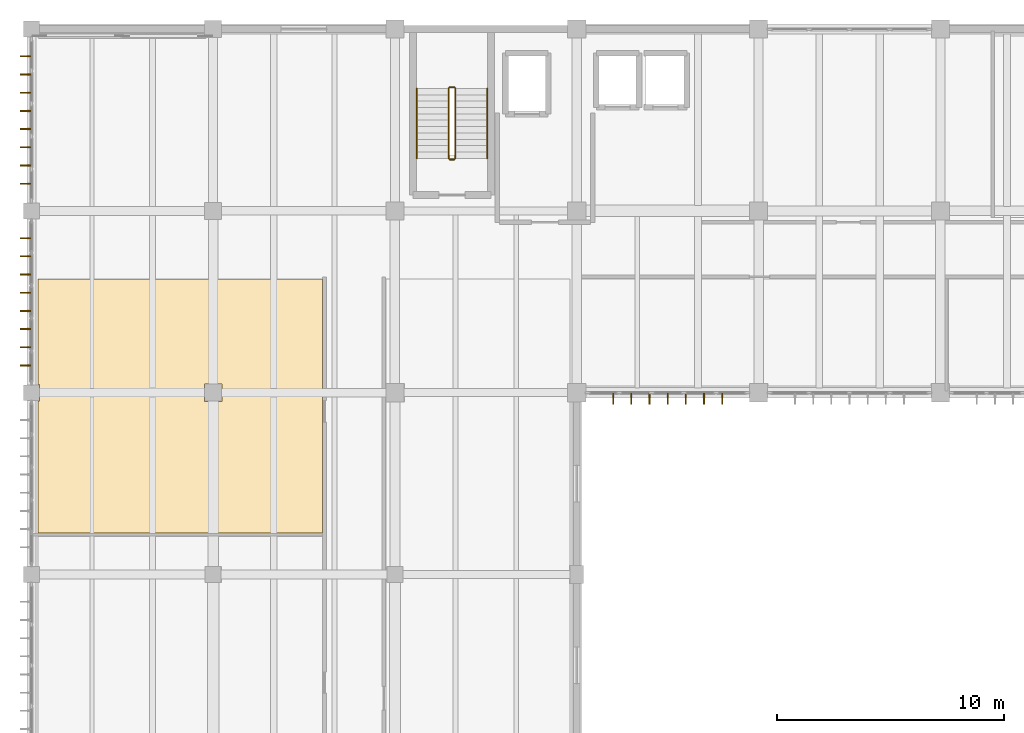
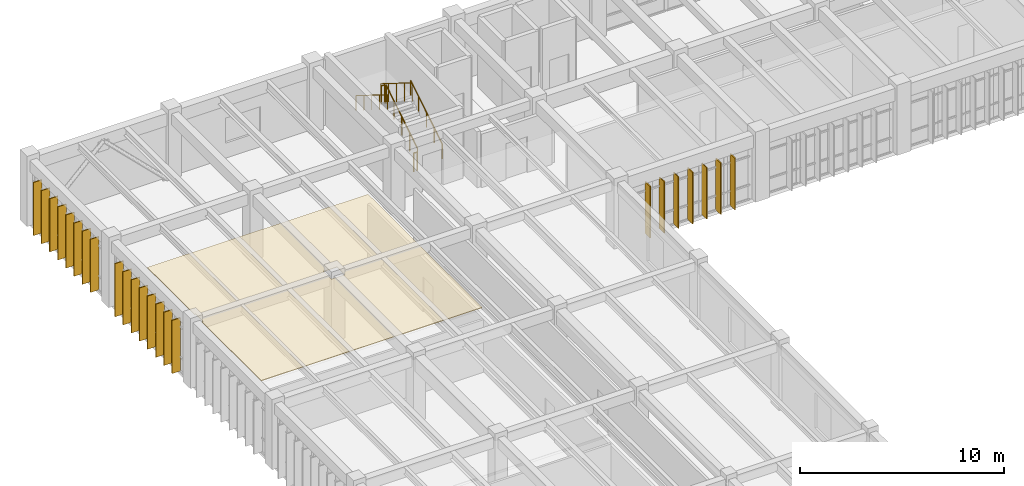
# One storey, part 61 of 67: 23 shading devices, 6 railings, 1 covering.
"""IFC4 building model written with IfcOpenShell, lengths in metres."""

from ifc_helpers import new_model, si_unit, direction, frame, origin, origin_2d, place, context, subcontext, project, spatial, polyline, rectangle, circle, outline, extrude, material, layer, layer_set, type_object, element, save


model = new_model("IFC4")

# Units and contexts
model_context = context("Model", 3, precision=1e-05, world=origin(), true_north=direction((0.0, 1.0)))
body_context = subcontext(model_context, "Body", "Model", "MODEL_VIEW")
ifc_project = project(units=[si_unit("LENGTHUNIT", "METRE"), si_unit("AREAUNIT", "SQUARE_METRE"), si_unit("VOLUMEUNIT", "CUBIC_METRE"), si_unit("PLANEANGLEUNIT", "RADIAN"), si_unit("MASSUNIT", "GRAM", prefix="KILO")], contexts=[model_context])

# Site, building, storey
site_placement = place(None, origin())
site = spatial("IfcSite", under=ifc_project, at=site_placement, CompositionType="ELEMENT")
building_placement = place(site_placement, origin())
building = spatial("IfcBuilding", under=site, at=building_placement, Name="Tlaxcora Railside Police Headquarters", CompositionType="ELEMENT")
storey_placement = place(building_placement, frame((0.0, 0.0, 4.800048828125)))
storey = spatial("IfcBuildingStorey", under=building, at=storey_placement, Name="L01", CompositionType="ELEMENT", Elevation=4.800048828125)

# Covering
ifc_material_1 = material(Name="Mineral-fibre acoustic ceiling tile")
ifc_layer_1 = layer(ifc_material_1, 0.034912109375, Name="Mineral-fibre acoustic ceiling tile")
ifc_layer_set_1 = layer_set([ifc_layer_1], Name="Mineral-fibre acoustic ceiling tile")
covering_type = type_object("IfcCoveringType", Name="Acoustic Suspended Ceiling CLG-01", PredefinedType="CEILING", material=ifc_layer_set_1)
covering_placement = place(storey_placement, frame((0.0, 0.0, 3.764892578125)))
element("IfcCovering", 1, at=covering_placement, inside=storey, type_object=covering_type, Name="Duty Supervisor Office L01 suspended ceiling", PredefinedType="CEILING", context=body_context, shape_type="SweptSolid", body=[
    extrude(outline(polyline([(5.5, 76.43994140625), (5.5, 70.6298828125), (18.0, 70.6298828125), (18.0, 81.800048828125), (5.5, 81.800048828125), (5.5, 77.159912109375), (5.56005859375, 77.159912109375), (5.56005859375, 76.43994140625), (5.5, 76.43994140625)]), holes=[polyline([(13.5849609375, 76.4150390625), (12.81494140625, 76.4150390625), (12.81494140625, 77.18505859375), (13.5849609375, 77.18505859375), (13.5849609375, 76.4150390625)])]), origin(), (0.0, 0.0, 1.0), 0.03515625),
])

# Shading devices
ifc_material_2 = material(Name="Anodised aluminium framing", Category="aluminium")
ifc_layer_2 = layer(ifc_material_2, 0.054931640625, Name="Anodised aluminium framing")
ifc_layer_set_2 = layer_set([ifc_layer_2], Name="Anodised aluminium framing")
shading_device_type = type_object("IfcShadingDeviceType", Name="Solar Control Fin SF-01", PredefinedType="JALOUSIE", material=ifc_layer_set_2)
for number, where, z_axis, x_axis, name in (
    (2, (30.800048828125, 76.5400390625, 0.039794921875), (0.0, 0.0, 1.0), (0.0, -1.0, 0.0), "Vertical solar fin 25"),
    (3, (31.60009765625, 76.5400390625, 0.039794921875), (0.0, 0.0, 1.0), (0.0, -1.0, 0.0), "Vertical solar fin 26"),
    (4, (32.39990234375, 76.5400390625, 0.039794921875), (0.0, 0.0, 1.0), (0.0, -1.0, 0.0), "Vertical solar fin 27"),
    (5, (33.199951171875, 76.5400390625, 0.039794921875), (0.0, 0.0, 1.0), (0.0, -1.0, 0.0), "Vertical solar fin 28"),
    (6, (34.0, 76.5400390625, 0.039794921875), (0.0, 0.0, 1.0), (0.0, -1.0, 0.0), "Vertical solar fin 29"),
    (7, (34.800048828125, 76.5400390625, 0.039794921875), (0.0, 0.0, 1.0), (0.0, -1.0, 0.0), "Vertical solar fin 30"),
    (8, (35.60009765625, 76.5400390625, 0.039794921875), (0.0, 0.0, 1.0), (0.0, -1.0, 0.0), "Vertical solar fin 31"),
):
    element("IfcShadingDevice", number, at=place(storey_placement, frame(where, z_axis=z_axis, x_axis=x_axis)), inside=storey, type_object=shading_device_type, Name=name, PredefinedType="JALOUSIE", context=body_context, shape_type="SweptSolid", body=[
        extrude(rectangle(XDim=0.47998046875, YDim=0.054931640625, at=origin_2d()), origin(), (0.0, 0.0, 1.0), 3.080078125),
    ])
for number, where, z_axis, x_axis, name in (
    (9, (4.93994140625, 91.60009765625, 0.0400390625), (0.0, 0.0, 1.0), (-1.0, 0.0, 0.0), "Vertical solar fin 90"),
    (10, (4.93994140625, 90.800048828125, 0.0400390625), (0.0, 0.0, 1.0), (-1.0, 0.0, 0.0), "Vertical solar fin 91"),
    (11, (4.93994140625, 90.0, 0.0400390625), (0.0, 0.0, 1.0), (-1.0, 0.0, 0.0), "Vertical solar fin 92"),
    (12, (4.93994140625, 89.199951171875, 0.0400390625), (0.0, 0.0, 1.0), (-1.0, 0.0, 0.0), "Vertical solar fin 93"),
    (13, (4.93994140625, 88.39990234375, 0.0400390625), (0.0, 0.0, 1.0), (-1.0, 0.0, 0.0), "Vertical solar fin 94"),
    (14, (4.93994140625, 87.60009765625, 0.0400390625), (0.0, 0.0, 1.0), (-1.0, 0.0, 0.0), "Vertical solar fin 95"),
    (15, (4.93994140625, 86.800048828125, 0.0400390625), (0.0, 0.0, 1.0), (-1.0, 0.0, 0.0), "Vertical solar fin 96"),
    (16, (4.93994140625, 86.0, 0.0400390625), (0.0, 0.0, 1.0), (-1.0, 0.0, 0.0), "Vertical solar fin 97"),
    (17, (4.93994140625, 83.60009765625, 0.0400390625), (0.0, 0.0, 1.0), (-1.0, 0.0, 0.0), "Vertical solar fin 98"),
    (18, (4.93994140625, 82.800048828125, 0.0400390625), (0.0, 0.0, 1.0), (-1.0, 0.0, 0.0), "Vertical solar fin 99"),
    (19, (4.93994140625, 82.0, 0.0400390625), (0.0, 0.0, 1.0), (-1.0, 0.0, 0.0), "Vertical solar fin 100"),
    (20, (4.93994140625, 81.199951171875, 0.0400390625), (0.0, 0.0, 1.0), (-1.0, 0.0, 0.0), "Vertical solar fin 101"),
    (21, (4.93994140625, 80.39990234375, 0.0400390625), (0.0, 0.0, 1.0), (-1.0, 0.0, 0.0), "Vertical solar fin 102"),
    (22, (4.93994140625, 79.60009765625, 0.0400390625), (0.0, 0.0, 1.0), (-1.0, 0.0, 0.0), "Vertical solar fin 103"),
    (23, (4.93994140625, 78.800048828125, 0.0400390625), (0.0, 0.0, 1.0), (-1.0, 0.0, 0.0), "Vertical solar fin 104"),
    (24, (4.93994140625, 78.0, 0.0400390625), (0.0, 0.0, 1.0), (-1.0, 0.0, 0.0), "Vertical solar fin 105"),
):
    element("IfcShadingDevice", number, at=place(storey_placement, frame(where, z_axis=z_axis, x_axis=x_axis)), inside=storey, type_object=shading_device_type, Name=name, PredefinedType="JALOUSIE", context=body_context, shape_type="SweptSolid", body=[
        extrude(rectangle(XDim=0.47998046875, YDim=0.054931640625, at=origin_2d()), origin(), (0.0, 0.0, 1.0), 3.179931640625),
    ])

# Railings
ifc_material_3 = material(Name="Steel ASTM A992 Grade 50", Category="steel")
railing_type_1 = type_object("IfcRailingType", Name="Stair Well Guard Balustrade GR-02", PredefinedType="BALUSTRADE", material=ifc_material_3)
railing_1_placement = place(storey_placement, frame((23.860107421875, 87.110107421875, 0.175048828125)))
element("IfcRailing", 25, at=railing_1_placement, inside=storey, type_object=railing_type_1, Name="L01 ST1 stair guard 1", PredefinedType="BALUSTRADE", context=body_context, shape_type="SweptSolid", body=[
    extrude(circle(Radius=0.02392578125, at=origin_2d()), frame((0.0, 0.0, 1.09619140625), z_axis=(0.0, 0.848009633417, 0.529980812513), x_axis=(-1.0, 0.0, 0.0)), (0.0, 0.0, 1.0), 3.6318359375),
    extrude(circle(Radius=0.02099609375, at=origin_2d()), origin(), (0.0, 0.0, 1.0), 1.072021484375),
    extrude(circle(Radius=0.02099609375, at=origin_2d()), frame((0.0, 0.77001953125, 0.481201171875)), (0.0, 0.0, 1.0), 1.072021484375),
    extrude(circle(Radius=0.02099609375, at=origin_2d()), frame((0.0, 1.5400390625, 0.96240234375)), (0.0, 0.0, 1.0), 1.072021484375),
    extrude(circle(Radius=0.02099609375, at=origin_2d()), frame((0.0, 2.309814453125, 1.443603515625)), (0.0, 0.0, 1.0), 1.072021484375),
    extrude(circle(Radius=0.02099609375, at=origin_2d()), frame((0.0, 3.079833984375, 1.9248046875)), (0.0, 0.0, 1.0), 1.072021484375),
])
railing_2_placement = place(storey_placement, frame((23.81005859375, 90.239990234375, 2.099853515625)))
element("IfcRailing", 26, at=railing_2_placement, inside=storey, type_object=railing_type_1, Name="L01 ST1 stair guard 2", PredefinedType="BALUSTRADE", context=body_context, shape_type="SweptSolid", body=[
    extrude(circle(Radius=0.02392578125, at=origin_2d()), frame((0.0, 0.0, 1.09619140625), z_axis=(-1.0, 0.0, 0.0), x_axis=(0.0, -1.0, 0.0)), (0.0, 0.0, 1.0), 0.199951171875),
    extrude(circle(Radius=0.02099609375, at=origin_2d()), origin(), (0.0, 0.0, 1.0), 1.072021484375),
    extrude(circle(Radius=0.02099609375, at=origin_2d()), frame((-0.199951171875, 0.0, 0.0)), (0.0, 0.0, 1.0), 1.072021484375),
])
railing_3_placement = place(storey_placement, frame((23.56005859375, 90.18994140625, 2.27490234375)))
element("IfcRailing", 27, at=railing_3_placement, inside=storey, type_object=railing_type_1, Name="L01 ST1 stair guard 3", PredefinedType="BALUSTRADE", context=body_context, shape_type="SweptSolid", body=[
    extrude(circle(Radius=0.02392578125, at=origin_2d()), frame((0.0, 0.0, 1.09619140625), z_axis=(0.0, -0.847979421464, 0.530029150871), x_axis=(1.0, 0.0, 0.0)), (0.0, 0.0, 1.0), 3.632080078125),
    extrude(circle(Radius=0.02099609375, at=origin_2d()), origin(), (0.0, 0.0, 1.0), 1.072021484375),
    extrude(circle(Radius=0.02099609375, at=origin_2d()), frame((0.0, -0.77001953125, 0.481201171875)), (0.0, 0.0, 1.0), 1.072021484375),
    extrude(circle(Radius=0.02099609375, at=origin_2d()), frame((0.0, -1.5400390625, 0.96240234375)), (0.0, 0.0, 1.0), 1.072021484375),
    extrude(circle(Radius=0.02099609375, at=origin_2d()), frame((0.0, -2.309814453125, 1.44384765625)), (0.0, 0.0, 1.0), 1.072021484375),
    extrude(circle(Radius=0.02099609375, at=origin_2d()), frame((0.0, -3.079833984375, 1.925048828125)), (0.0, 0.0, 1.0), 1.072021484375),
])
railing_4_placement = place(storey_placement, frame((23.81005859375, 87.06005859375, 0.0)))
element("IfcRailing", 28, at=railing_4_placement, inside=storey, type_object=railing_type_1, Name="L01 ST1 stair guard 4", PredefinedType="BALUSTRADE", context=body_context, shape_type="SweptSolid", body=[
    extrude(circle(Radius=0.02392578125, at=origin_2d()), frame((0.0, 0.0, 1.09619140625), z_axis=(-1.0, 0.0, 0.0), x_axis=(0.0, -1.0, 0.0)), (0.0, 0.0, 1.0), 0.199951171875),
    extrude(circle(Radius=0.02099609375, at=origin_2d()), origin(), (0.0, 0.0, 1.0), 1.072021484375),
    extrude(circle(Radius=0.02099609375, at=origin_2d()), frame((-0.199951171875, 0.0, 0.0)), (0.0, 0.0, 1.0), 1.072021484375),
])
railing_type_2 = type_object("IfcRailingType", Name="Stair and Ramp Handrail HR-01", PredefinedType="HANDRAIL", material=ifc_material_3)
railing_5_placement = place(storey_placement, frame((25.260009765625, 87.110107421875, 0.175048828125)))
element("IfcRailing", 29, at=railing_5_placement, inside=storey, type_object=railing_type_2, Name="L01 ST1 stair handrail 1", PredefinedType="HANDRAIL", context=body_context, shape_type="SweptSolid", body=[
    extrude(circle(Radius=0.02392578125, at=origin_2d()), frame((0.0, 0.0, 0.8759765625), z_axis=(0.0, 0.848009633417, 0.529980812513), x_axis=(-1.0, 0.0, 0.0)), (0.0, 0.0, 1.0), 3.6318359375),
    extrude(circle(Radius=0.02099609375, at=origin_2d()), origin(), (0.0, 0.0, 1.0), 0.851806640625),
    extrude(circle(Radius=0.02099609375, at=origin_2d()), frame((0.0, 0.77001953125, 0.481201171875)), (0.0, 0.0, 1.0), 0.851806640625),
    extrude(circle(Radius=0.02099609375, at=origin_2d()), frame((0.0, 1.5400390625, 0.96240234375)), (0.0, 0.0, 1.0), 0.851806640625),
    extrude(circle(Radius=0.02099609375, at=origin_2d()), frame((0.0, 2.309814453125, 1.443603515625)), (0.0, 0.0, 1.0), 0.851806640625),
    extrude(circle(Radius=0.02099609375, at=origin_2d()), frame((0.0, 3.079833984375, 1.9248046875)), (0.0, 0.0, 1.0), 0.851806640625),
])
railing_6_placement = place(storey_placement, frame((22.159912109375, 90.18994140625, 2.27490234375)))
element("IfcRailing", 30, at=railing_6_placement, inside=storey, type_object=railing_type_2, Name="L01 ST1 stair handrail 2", PredefinedType="HANDRAIL", context=body_context, shape_type="SweptSolid", body=[
    extrude(circle(Radius=0.02392578125, at=origin_2d()), frame((0.0, 0.0, 0.8759765625), z_axis=(0.0, -0.847979421464, 0.530029150871), x_axis=(1.0, 0.0, 0.0)), (0.0, 0.0, 1.0), 3.632080078125),
    extrude(circle(Radius=0.02099609375, at=origin_2d()), origin(), (0.0, 0.0, 1.0), 0.851806640625),
    extrude(circle(Radius=0.02099609375, at=origin_2d()), frame((0.0, -0.77001953125, 0.481201171875)), (0.0, 0.0, 1.0), 0.851806640625),
    extrude(circle(Radius=0.02099609375, at=origin_2d()), frame((0.0, -1.5400390625, 0.96240234375)), (0.0, 0.0, 1.0), 0.851806640625),
    extrude(circle(Radius=0.02099609375, at=origin_2d()), frame((0.0, -2.309814453125, 1.44384765625)), (0.0, 0.0, 1.0), 0.851806640625),
    extrude(circle(Radius=0.02099609375, at=origin_2d()), frame((0.0, -3.079833984375, 1.925048828125)), (0.0, 0.0, 1.0), 0.851806640625),
])

save(model, "model.ifc")
